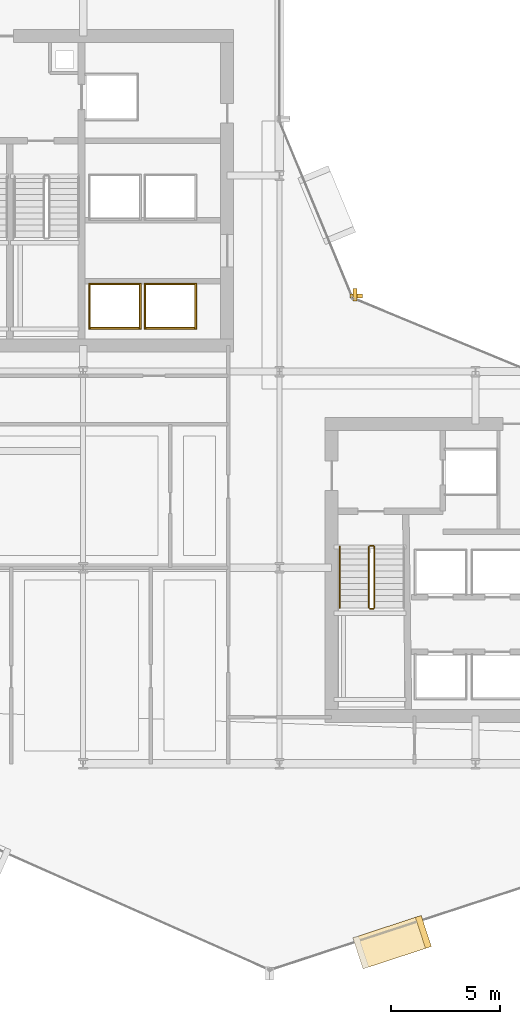
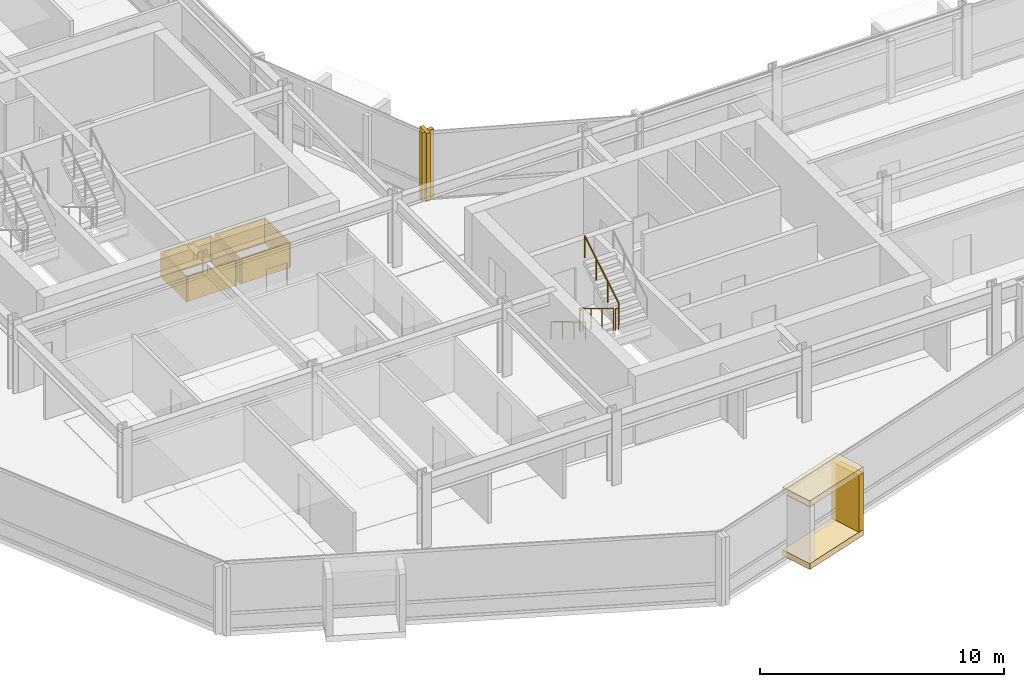
# One storey, part 31 of 34: 13 coverings, 5 railings.
"""IFC4 building model written with IfcOpenShell, lengths in metres."""

from ifc_helpers import new_model, si_unit, direction, frame, origin, origin_2d, place, context, subcontext, project, spatial, rectangle, circle, extrude, material, layer, layer_set, type_object, element, save


model = new_model("IFC4")

# Units and contexts
model_context = context("Model", 3, precision=1e-05, world=origin(), true_north=direction((0.0, 1.0)))
body_context = subcontext(model_context, "Body", "Model", "MODEL_VIEW")
ifc_project = project(units=[si_unit("LENGTHUNIT", "METRE"), si_unit("AREAUNIT", "SQUARE_METRE"), si_unit("VOLUMEUNIT", "CUBIC_METRE"), si_unit("PLANEANGLEUNIT", "RADIAN"), si_unit("MASSUNIT", "GRAM", prefix="KILO")], contexts=[model_context])

# Site, building, storey
site_placement = place(None, origin())
site = spatial("IfcSite", under=ifc_project, at=site_placement, CompositionType="ELEMENT")
building_placement = place(site_placement, origin())
building = spatial("IfcBuilding", under=site, at=building_placement, Name="Solvaryn Broadcast Tower", CompositionType="ELEMENT")
storey_placement = place(building_placement, frame((0.0, 0.0, 73.0)))
storey = spatial("IfcBuildingStorey", under=building, at=storey_placement, Name="L17", CompositionType="ELEMENT", Elevation=73.0)

# Coverings
ifc_material_1 = material(Name="Fire-Rated Gypsum Shaftwall Liner", Category="concrete")
ifc_layer_1 = layer(ifc_material_1, 0.080078125)
ifc_layer_set_1 = layer_set([ifc_layer_1], Name="CV-SHAFT-LINER")
covering_type_1 = type_object("IfcCoveringType", Name="CV-SHAFT-LINER", PredefinedType="CLADDING", material=ifc_layer_set_1)
for number, where, z_axis, x_axis, name in (
    (1, (19.449951171875, 31.014892578125, 0.0), (0.0, 0.0, 1.0), (1.0, 0.0, 0.0), "L17 PH1 Hoistway Shaft Liner North"),
    (2, (19.449951171875, 28.985107421875, 0.0), (0.0, 0.0, 1.0), (1.0, 0.0, 0.0), "L17 PH1 Hoistway Shaft Liner South"),
):
    element("IfcCovering", number, at=place(storey_placement, frame(where, z_axis=z_axis, x_axis=x_axis)), inside=storey, type_object=covering_type_1, Name=name, PredefinedType="CLADDING", context=body_context, shape_type="SweptSolid", body=[
        extrude(rectangle(XDim=2.409912109375, YDim=0.080078125, at=origin_2d()), origin(), (0.0, 0.0, 1.0), 1.25),
    ])
for number, where, z_axis, x_axis, name in (
    (3, (20.614990234375, 30.0, 0.0), (0.0, 0.0, 1.0), (1.0, 0.0, 0.0), "L17 PH1 Hoistway Shaft Liner East"),
    (4, (18.284912109375, 30.0, 0.0), (0.0, 0.0, 1.0), (1.0, 0.0, 0.0), "L17 PH1 Hoistway Shaft Liner West"),
):
    element("IfcCovering", number, at=place(storey_placement, frame(where, z_axis=z_axis, x_axis=x_axis)), inside=storey, type_object=covering_type_1, Name=name, PredefinedType="CLADDING", context=body_context, shape_type="SweptSolid", body=[
        extrude(rectangle(XDim=0.080078125, YDim=2.110107421875, at=origin_2d()), origin(), (0.0, 0.0, 1.0), 1.25),
    ])
for number, where, z_axis, x_axis, name in (
    (5, (22.0, 31.014892578125, 0.0), (0.0, 0.0, 1.0), (1.0, 0.0, 0.0), "L17 PH2 Hoistway Shaft Liner North"),
    (6, (22.0, 28.985107421875, 0.0), (0.0, 0.0, 1.0), (1.0, 0.0, 0.0), "L17 PH2 Hoistway Shaft Liner South"),
):
    element("IfcCovering", number, at=place(storey_placement, frame(where, z_axis=z_axis, x_axis=x_axis)), inside=storey, type_object=covering_type_1, Name=name, PredefinedType="CLADDING", context=body_context, shape_type="SweptSolid", body=[
        extrude(rectangle(XDim=2.409912109375, YDim=0.080078125, at=origin_2d()), origin(), (0.0, 0.0, 1.0), 1.25),
    ])
for number, where, z_axis, x_axis, name in (
    (7, (23.1650390625, 30.0, 0.0), (0.0, 0.0, 1.0), (1.0, 0.0, 0.0), "L17 PH2 Hoistway Shaft Liner East"),
    (8, (20.8349609375, 30.0, 0.0), (0.0, 0.0, 1.0), (1.0, 0.0, 0.0), "L17 PH2 Hoistway Shaft Liner West"),
):
    element("IfcCovering", number, at=place(storey_placement, frame(where, z_axis=z_axis, x_axis=x_axis)), inside=storey, type_object=covering_type_1, Name=name, PredefinedType="CLADDING", context=body_context, shape_type="SweptSolid", body=[
        extrude(rectangle(XDim=0.080078125, YDim=2.110107421875, at=origin_2d()), origin(), (0.0, 0.0, 1.0), 1.25),
    ])
ifc_material_2 = material(Name="Glazed Architectural Terracotta Rainscreen Cladding", Category="masonry")
ifc_layer_2 = layer(ifc_material_2, 0.280029296875)
ifc_layer_set_2 = layer_set([ifc_layer_2], Name="CV-TC-CLAD")
covering_type_2 = type_object("IfcCoveringType", Name="CV-TC-CLAD", PredefinedType="CLADDING", material=ifc_layer_set_2)
for number, where, z_axis, x_axis, name in (
    (9, (32.173095703125, 0.819091796875, 3.1298828125), (0.0, 0.0, 1.0), (0.950189870912, 0.311671636848, 0.0), "L17 Projecting Stone Window Box Hood 4"),
    (10, (32.173095703125, 0.819091796875, -0.01025390625), (0.0, 0.0, 1.0), (0.950189870912, 0.311671636848, 0.0), "L17 Projecting Stone Window Box Sill 4"),
):
    element("IfcCovering", number, at=place(storey_placement, frame(where, z_axis=z_axis, x_axis=x_axis)), inside=storey, type_object=covering_type_2, Name=name, PredefinedType="CLADDING", context=body_context, shape_type="SweptSolid", body=[
        extrude(rectangle(XDim=3.300048828125, YDim=1.5, at=origin_2d()), origin(), (0.0, 0.0, 1.0), 0.300048828125),
    ])
covering_1_placement = place(storey_placement, frame((33.60791015625, 1.28955078125, 0.27978515625), z_axis=(0.0, 0.0, 1.0), x_axis=(0.950189870912, 0.311671636848, 0.0)))
element("IfcCovering", 11, at=covering_1_placement, inside=storey, type_object=covering_type_2, Name="L17 Projecting Stone Window Box Cheek 4-2", PredefinedType="CLADDING", context=body_context, shape_type="SweptSolid", body=[
    extrude(rectangle(XDim=0.280029296875, YDim=1.5, at=origin_2d()), origin(), (0.0, 0.0, 1.0), 2.860107421875),
])
ifc_material_3 = material(Name="Extruded Architectural Terracotta Fin", Category="masonry")
ifc_layer_3 = layer(ifc_material_3, 0.179931640625)
ifc_layer_set_3 = layer_set([ifc_layer_3], Name="CV-TC-FIN")
covering_type_3 = type_object("IfcCoveringType", Name="CV-TC-FIN", PredefinedType="USERDEFINED", material=ifc_layer_set_3)
covering_2_placement = place(storey_placement, frame((30.464599609375, 30.52294921875, 0.0), z_axis=(0.0, 0.0, 1.0), x_axis=(1.0, 0.0, 0.0)))
element("IfcCovering", 12, at=covering_2_placement, inside=storey, type_object=covering_type_3, Name="L17 Terracotta Vertical Fin FIN-L17-CN1-M01", ObjectType="FIN", PredefinedType="USERDEFINED", context=body_context, shape_type="SweptSolid", body=[
    extrude(rectangle(XDim=0.179931640625, YDim=0.580078125, at=origin_2d()), origin(), (0.0, 0.0, 1.0), 3.419921875),
])
covering_3_placement = place(storey_placement, frame((30.52294921875, 30.464599609375, 0.0), z_axis=(0.0, 0.0, 1.0), x_axis=(1.0, 0.0, 0.0)))
element("IfcCovering", 13, at=covering_3_placement, inside=storey, type_object=covering_type_3, Name="L17 Terracotta Vertical Fin FIN-L17-CN2-M00", ObjectType="FIN", PredefinedType="USERDEFINED", context=body_context, shape_type="SweptSolid", body=[
    extrude(rectangle(XDim=0.580078125, YDim=0.179931640625, at=origin_2d()), origin(), (0.0, 0.0, 1.0), 3.419921875),
])

# Railings
ifc_material_4 = material(Name="Painted Steel Stair Well Guard", Category="steel")
railing_type_1 = type_object("IfcRailingType", Name="RL-STAIR-GUARD", PredefinedType="BALUSTRADE", material=ifc_material_4)
railing_1_placement = place(storey_placement, frame((31.110107421875, 18.9599609375, 0.168212890625)))
element("IfcRailing", 14, at=railing_1_placement, inside=storey, type_object=railing_type_1, Name="L17 ST3 stair guard 1", PredefinedType="BALUSTRADE", context=body_context, shape_type="SweptSolid", body=[
    extrude(circle(Radius=0.02392578125, at=origin_2d()), frame((0.0, 0.0, 1.076171875), z_axis=(0.0, -0.857242210791, 0.514913383045), x_axis=(1.0, 0.0, 0.0)), (0.0, 0.0, 1.0), 3.266357421875),
    extrude(circle(Radius=0.02099609375, at=origin_2d()), origin(), (0.0, 0.0, 1.0), 1.052001953125),
    extrude(circle(Radius=0.02099609375, at=origin_2d()), frame((0.0, -0.933349609375, 0.560546875)), (0.0, 0.0, 1.0), 1.052001953125),
    extrude(circle(Radius=0.02099609375, at=origin_2d()), frame((0.0, -1.86669921875, 1.121337890625)), (0.0, 0.0, 1.0), 1.052001953125),
    extrude(circle(Radius=0.02099609375, at=origin_2d()), frame((0.0, -2.800048828125, 1.681884765625)), (0.0, 0.0, 1.0), 1.052001953125),
])
railing_2_placement = place(storey_placement, frame((31.159912109375, 16.110107421875, 1.85009765625)))
element("IfcRailing", 15, at=railing_2_placement, inside=storey, type_object=railing_type_1, Name="L17 ST3 stair guard 2", PredefinedType="BALUSTRADE", context=body_context, shape_type="SweptSolid", body=[
    extrude(circle(Radius=0.02392578125, at=origin_2d()), frame((0.0, 0.0, 1.076171875), z_axis=(1.0, 0.0, 0.0), x_axis=(0.0, 1.0, 0.0)), (0.0, 0.0, 1.0), 0.150146484375),
    extrude(circle(Radius=0.02099609375, at=origin_2d()), origin(), (0.0, 0.0, 1.0), 1.052001953125),
    extrude(circle(Radius=0.02099609375, at=origin_2d()), frame((0.150146484375, 0.0, 0.0)), (0.0, 0.0, 1.0), 1.052001953125),
])
railing_3_placement = place(storey_placement, frame((31.360107421875, 16.159912109375, 2.01806640625)))
element("IfcRailing", 16, at=railing_3_placement, inside=storey, type_object=railing_type_1, Name="L17 ST3 stair guard 3", PredefinedType="BALUSTRADE", context=body_context, shape_type="SweptSolid", body=[
    extrude(circle(Radius=0.02392578125, at=origin_2d()), frame((0.0, 0.0, 1.076171875), z_axis=(0.0, 0.857242210791, 0.514913383045), x_axis=(-1.0, 0.0, 0.0)), (0.0, 0.0, 1.0), 3.266357421875),
    extrude(circle(Radius=0.02099609375, at=origin_2d()), origin(), (0.0, 0.0, 1.0), 1.052001953125),
    extrude(circle(Radius=0.02099609375, at=origin_2d()), frame((0.0, 0.933349609375, 0.560546875)), (0.0, 0.0, 1.0), 1.052001953125),
    extrude(circle(Radius=0.02099609375, at=origin_2d()), frame((0.0, 1.86669921875, 1.121337890625)), (0.0, 0.0, 1.0), 1.052001953125),
    extrude(circle(Radius=0.02099609375, at=origin_2d()), frame((0.0, 2.800048828125, 1.681884765625)), (0.0, 0.0, 1.0), 1.052001953125),
])
railing_4_placement = place(storey_placement, frame((31.159912109375, 19.010009765625, 0.0)))
element("IfcRailing", 17, at=railing_4_placement, inside=storey, type_object=railing_type_1, Name="L17 ST3 stair guard 4", PredefinedType="BALUSTRADE", context=body_context, shape_type="SweptSolid", body=[
    extrude(circle(Radius=0.02392578125, at=origin_2d()), frame((0.0, 0.0, 1.076171875), z_axis=(1.0, 0.0, 0.0), x_axis=(0.0, 1.0, 0.0)), (0.0, 0.0, 1.0), 0.150146484375),
    extrude(circle(Radius=0.02099609375, at=origin_2d()), origin(), (0.0, 0.0, 1.0), 1.052001953125),
    extrude(circle(Radius=0.02099609375, at=origin_2d()), frame((0.150146484375, 0.0, 0.0)), (0.0, 0.0, 1.0), 1.052001953125),
])
ifc_material_5 = material(Name="Brushed Stainless Steel Tubular Handrail", Category="steel")
railing_type_2 = type_object("IfcRailingType", Name="RL-STAIR-HANDRAIL", PredefinedType="HANDRAIL", material=ifc_material_5)
railing_5_placement = place(storey_placement, frame((29.77001953125, 18.9599609375, 0.168212890625)))
element("IfcRailing", 18, at=railing_5_placement, inside=storey, type_object=railing_type_2, Name="L17 ST3 stair handrail 1", PredefinedType="HANDRAIL", context=body_context, shape_type="SweptSolid", body=[
    extrude(circle(Radius=0.02392578125, at=origin_2d()), frame((0.0, 0.0, 0.8759765625), z_axis=(0.0, -0.857242210791, 0.514913383045), x_axis=(1.0, 0.0, 0.0)), (0.0, 0.0, 1.0), 3.266357421875),
    extrude(circle(Radius=0.02099609375, at=origin_2d()), origin(), (0.0, 0.0, 1.0), 0.851806640625),
    extrude(circle(Radius=0.02099609375, at=origin_2d()), frame((0.0, -0.933349609375, 0.560546875)), (0.0, 0.0, 1.0), 0.851806640625),
    extrude(circle(Radius=0.02099609375, at=origin_2d()), frame((0.0, -1.86669921875, 1.121337890625)), (0.0, 0.0, 1.0), 0.851806640625),
    extrude(circle(Radius=0.02099609375, at=origin_2d()), frame((0.0, -2.800048828125, 1.681884765625)), (0.0, 0.0, 1.0), 0.851806640625),
])

save(model, "model.ifc")
